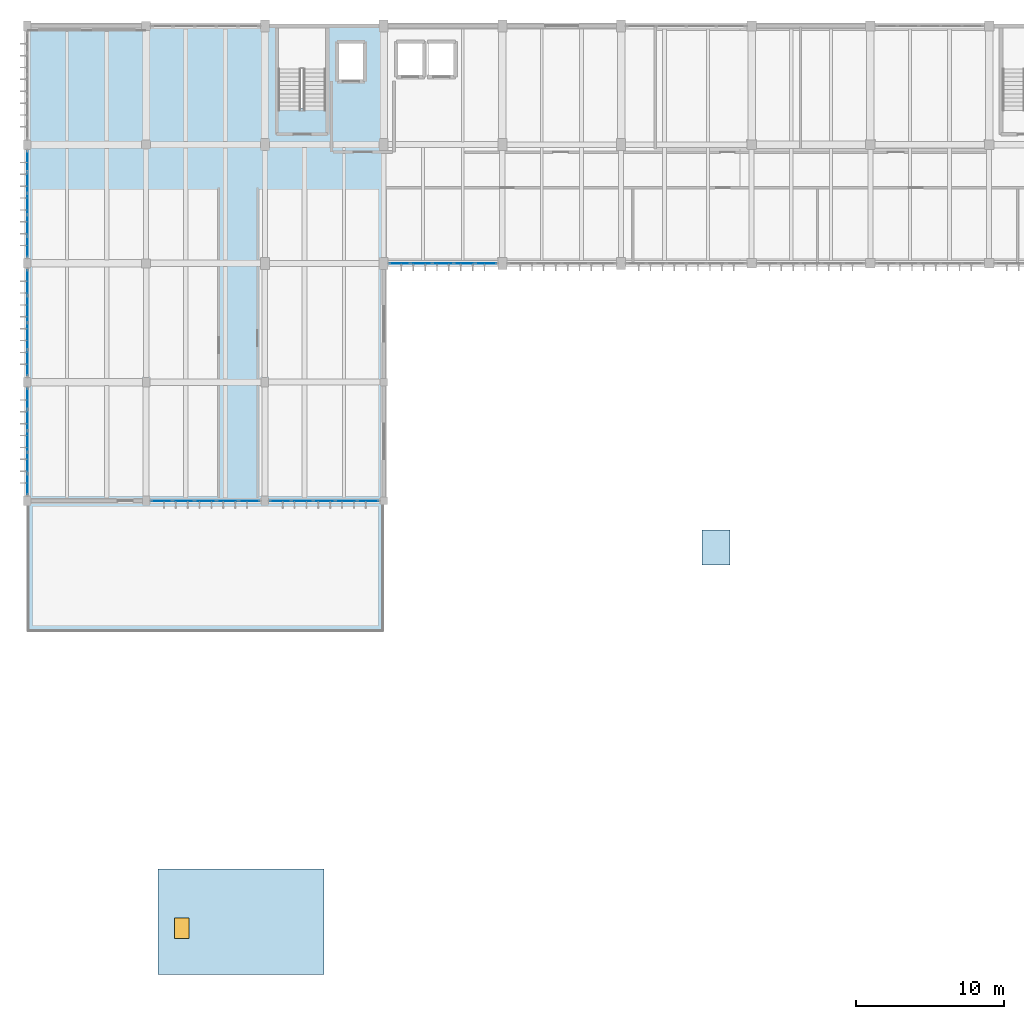
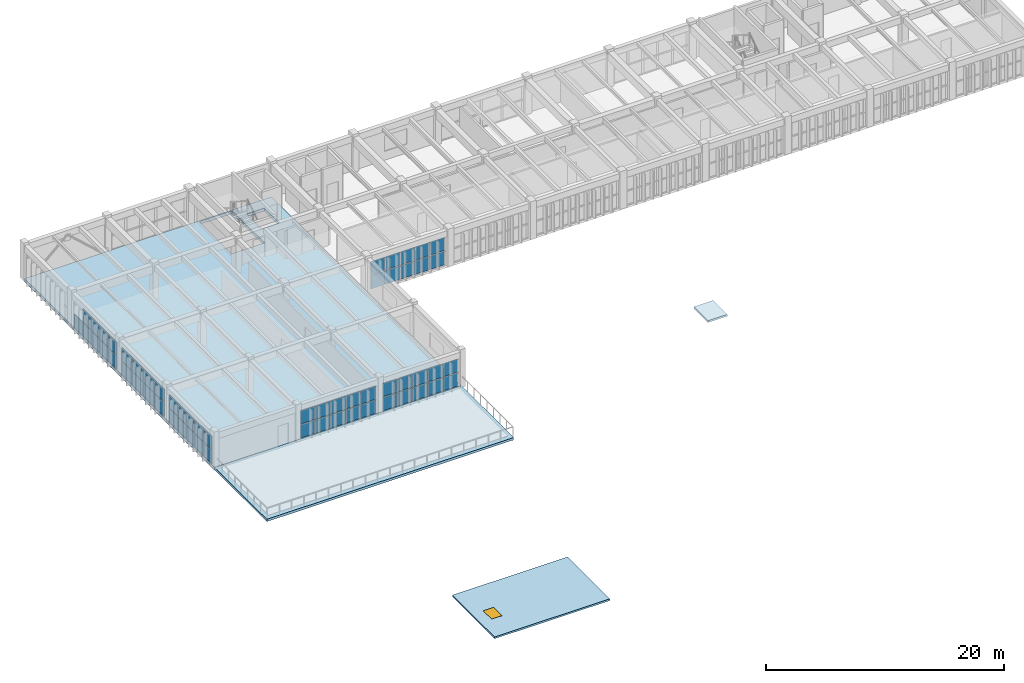
"""IFC4 building model written with IfcOpenShell, lengths in metres."""

from ifc_helpers import new_model, si_unit, direction, frame, origin, origin_2d, place, context, subcontext, project, spatial, polyline, rectangle, outline, extrude, material, layer, layer_set, type_object, element, fill, aggregate, save


model = new_model("IFC4")

# Units and contexts
model_context = context("Model", 3, precision=1e-05, world=origin(), true_north=direction((0.0, 1.0)))
body_context = subcontext(model_context, "Body", "Model", "MODEL_VIEW")
ifc_project = project(units=[si_unit("LENGTHUNIT", "METRE"), si_unit("AREAUNIT", "SQUARE_METRE"), si_unit("VOLUMEUNIT", "CUBIC_METRE"), si_unit("PLANEANGLEUNIT", "RADIAN"), si_unit("MASSUNIT", "GRAM", prefix="KILO")], contexts=[model_context])

# Site, building, storey
site_placement = place(None, origin())
site = spatial("IfcSite", under=ifc_project, at=site_placement, CompositionType="ELEMENT")
building_placement = place(site_placement, origin())
building = spatial("IfcBuilding", under=site, at=building_placement, Name="Tlaxcora Railside Police Headquarters", CompositionType="ELEMENT")
storey_1_placement = place(building_placement, frame((0.0, 0.0, 18.0)))
storey_1 = spatial("IfcBuildingStorey", under=building, at=storey_1_placement, Name="L04", CompositionType="ELEMENT", Elevation=18.0)

# Curtain wall, plates
ifc_material_1 = material(Name="Thermally broken low-E insulated glazing", Category="glass")
curtain_wall_type_1 = type_object("IfcCurtainWallType", Name="Unitised Curtain Wall Assembly CW-23", PredefinedType="NOTDEFINED", material=ifc_material_1)
curtain_wall_1_placement = place(storey_1_placement, origin())
curtain_wall_1 = element("IfcCurtainWall", 1, at=curtain_wall_1_placement, inside=storey_1, type_object=curtain_wall_type_1, Name="V5 L04 curtain wall 88", PredefinedType="NOTDEFINED")
ifc_layer_1 = layer(ifc_material_1, 0.0400390625, Name="Thermally broken low-E insulated glazing")
ifc_layer_set_1 = layer_set([ifc_layer_1], Name="Thermally broken low-E insulated glazing")
plate_type_1 = type_object("IfcPlateType", Name="Curtain Wall Infill Panel CW-17", PredefinedType="CURTAIN_PANEL", material=ifc_layer_set_1)
plate_1_placement = place(storey_1_placement, frame((14.260009765625, 60.800048828125, 0.080078125), z_axis=(0.0, 0.0, 1.0), x_axis=(1.0, 0.0, 0.0)))
plate_1 = element("IfcPlate", 2, at=plate_1_placement, type_object=plate_type_1, Name="CW panel 1.1", PredefinedType="CURTAIN_PANEL", context=body_context, shape_type="SweptSolid", body=[
    extrude(rectangle(XDim=1.360107421875, YDim=0.0400390625, at=origin_2d()), origin(), (0.0, 0.0, 1.0), 1.375),
])
plate_2_placement = place(storey_1_placement, frame((14.260009765625, 60.800048828125, 1.534912109375), z_axis=(0.0, 0.0, 1.0), x_axis=(1.0, 0.0, 0.0)))
plate_2 = element("IfcPlate", 3, at=plate_2_placement, type_object=plate_type_1, Name="CW panel 1.2", PredefinedType="CURTAIN_PANEL", context=body_context, shape_type="SweptSolid", body=[
    extrude(rectangle(XDim=1.360107421875, YDim=0.0400390625, at=origin_2d()), origin(), (0.0, 0.0, 1.0), 1.35498046875),
])
plate_3_placement = place(storey_1_placement, frame((15.719970703125, 60.800048828125, 0.080078125), z_axis=(0.0, 0.0, 1.0), x_axis=(1.0, 0.0, 0.0)))
plate_3 = element("IfcPlate", 4, at=plate_3_placement, type_object=plate_type_1, Name="CW panel 2.1", PredefinedType="CURTAIN_PANEL", context=body_context, shape_type="SweptSolid", body=[
    extrude(rectangle(XDim=1.39990234375, YDim=0.0400390625, at=origin_2d()), origin(), (0.0, 0.0, 1.0), 1.375),
])
plate_4_placement = place(storey_1_placement, frame((15.719970703125, 60.800048828125, 1.534912109375), z_axis=(0.0, 0.0, 1.0), x_axis=(1.0, 0.0, 0.0)))
plate_4 = element("IfcPlate", 5, at=plate_4_placement, type_object=plate_type_1, Name="CW panel 2.2", PredefinedType="CURTAIN_PANEL", context=body_context, shape_type="SweptSolid", body=[
    extrude(rectangle(XDim=1.39990234375, YDim=0.0400390625, at=origin_2d()), origin(), (0.0, 0.0, 1.0), 1.35498046875),
])
plate_5_placement = place(storey_1_placement, frame((17.199951171875, 60.800048828125, 0.080078125), z_axis=(0.0, 0.0, 1.0), x_axis=(1.0, 0.0, 0.0)))
plate_5 = element("IfcPlate", 6, at=plate_5_placement, type_object=plate_type_1, Name="CW panel 3.1", PredefinedType="CURTAIN_PANEL", context=body_context, shape_type="SweptSolid", body=[
    extrude(rectangle(XDim=1.39990234375, YDim=0.0400390625, at=origin_2d()), origin(), (0.0, 0.0, 1.0), 1.375),
])
plate_6_placement = place(storey_1_placement, frame((17.199951171875, 60.800048828125, 1.534912109375), z_axis=(0.0, 0.0, 1.0), x_axis=(1.0, 0.0, 0.0)))
plate_6 = element("IfcPlate", 7, at=plate_6_placement, type_object=plate_type_1, Name="CW panel 3.2", PredefinedType="CURTAIN_PANEL", context=body_context, shape_type="SweptSolid", body=[
    extrude(rectangle(XDim=1.39990234375, YDim=0.0400390625, at=origin_2d()), origin(), (0.0, 0.0, 1.0), 1.35498046875),
])
plate_7_placement = place(storey_1_placement, frame((18.679931640625, 60.800048828125, 0.080078125), z_axis=(0.0, 0.0, 1.0), x_axis=(1.0, 0.0, 0.0)))
plate_7 = element("IfcPlate", 8, at=plate_7_placement, type_object=plate_type_1, Name="CW panel 4.1", PredefinedType="CURTAIN_PANEL", context=body_context, shape_type="SweptSolid", body=[
    extrude(rectangle(XDim=1.39990234375, YDim=0.0400390625, at=origin_2d()), origin(), (0.0, 0.0, 1.0), 1.375),
])
plate_8_placement = place(storey_1_placement, frame((18.679931640625, 60.800048828125, 1.534912109375), z_axis=(0.0, 0.0, 1.0), x_axis=(1.0, 0.0, 0.0)))
plate_8 = element("IfcPlate", 9, at=plate_8_placement, type_object=plate_type_1, Name="CW panel 4.2", PredefinedType="CURTAIN_PANEL", context=body_context, shape_type="SweptSolid", body=[
    extrude(rectangle(XDim=1.39990234375, YDim=0.0400390625, at=origin_2d()), origin(), (0.0, 0.0, 1.0), 1.35498046875),
])
plate_9_placement = place(storey_1_placement, frame((20.139892578125, 60.800048828125, 0.080078125), z_axis=(0.0, 0.0, 1.0), x_axis=(1.0, 0.0, 0.0)))
plate_9 = element("IfcPlate", 10, at=plate_9_placement, type_object=plate_type_1, Name="CW panel 5.1", PredefinedType="CURTAIN_PANEL", context=body_context, shape_type="SweptSolid", body=[
    extrude(rectangle(XDim=1.360107421875, YDim=0.0400390625, at=origin_2d()), origin(), (0.0, 0.0, 1.0), 1.375),
])
plate_10_placement = place(storey_1_placement, frame((20.139892578125, 60.800048828125, 1.534912109375), z_axis=(0.0, 0.0, 1.0), x_axis=(1.0, 0.0, 0.0)))
plate_10 = element("IfcPlate", 11, at=plate_10_placement, type_object=plate_type_1, Name="CW panel 5.2", PredefinedType="CURTAIN_PANEL", context=body_context, shape_type="SweptSolid", body=[
    extrude(rectangle(XDim=1.360107421875, YDim=0.0400390625, at=origin_2d()), origin(), (0.0, 0.0, 1.0), 1.35498046875),
])
aggregate(curtain_wall_1, [plate_1, plate_2, plate_3, plate_4, plate_5, plate_6, plate_7, plate_8, plate_9, plate_10])

curtain_wall_2_placement = place(storey_1_placement, origin())
curtain_wall_2 = element("IfcCurtainWall", 12, at=curtain_wall_2_placement, inside=storey_1, type_object=curtain_wall_type_1, Name="V5 L04 curtain wall 104", PredefinedType="NOTDEFINED")
plate_11_placement = place(storey_1_placement, frame((5.199951171875, 67.679931640625, 0.080078125), z_axis=(0.0, 0.0, 1.0), x_axis=(0.0, -1.0, 0.0)))
plate_11 = element("IfcPlate", 13, at=plate_11_placement, type_object=plate_type_1, Name="CW panel 1.1", PredefinedType="CURTAIN_PANEL", context=body_context, shape_type="SweptSolid", body=[
    extrude(rectangle(XDim=1.330078125, YDim=0.0400390625, at=origin_2d()), origin(), (0.0, 0.0, 1.0), 1.375),
])
plate_12_placement = place(storey_1_placement, frame((5.199951171875, 67.679931640625, 1.534912109375), z_axis=(0.0, 0.0, 1.0), x_axis=(0.0, -1.0, 0.0)))
plate_12 = element("IfcPlate", 14, at=plate_12_placement, type_object=plate_type_1, Name="CW panel 1.2", PredefinedType="CURTAIN_PANEL", context=body_context, shape_type="SweptSolid", body=[
    extrude(rectangle(XDim=1.330078125, YDim=0.0400390625, at=origin_2d()), origin(), (0.0, 0.0, 1.0), 1.35498046875),
])
plate_13_placement = place(storey_1_placement, frame((5.199951171875, 66.25, 0.080078125), z_axis=(0.0, 0.0, 1.0), x_axis=(0.0, -1.0, 0.0)))
plate_13 = element("IfcPlate", 15, at=plate_13_placement, type_object=plate_type_1, Name="CW panel 2.1", PredefinedType="CURTAIN_PANEL", context=body_context, shape_type="SweptSolid", body=[
    extrude(rectangle(XDim=1.3701171875, YDim=0.0400390625, at=origin_2d()), origin(), (0.0, 0.0, 1.0), 1.375),
])
plate_14_placement = place(storey_1_placement, frame((5.199951171875, 66.25, 1.534912109375), z_axis=(0.0, 0.0, 1.0), x_axis=(0.0, -1.0, 0.0)))
plate_14 = element("IfcPlate", 16, at=plate_14_placement, type_object=plate_type_1, Name="CW panel 2.2", PredefinedType="CURTAIN_PANEL", context=body_context, shape_type="SweptSolid", body=[
    extrude(rectangle(XDim=1.3701171875, YDim=0.0400390625, at=origin_2d()), origin(), (0.0, 0.0, 1.0), 1.35498046875),
])
plate_15_placement = place(storey_1_placement, frame((5.199951171875, 64.800048828125, 0.080078125), z_axis=(0.0, 0.0, 1.0), x_axis=(0.0, -1.0, 0.0)))
plate_15 = element("IfcPlate", 17, at=plate_15_placement, type_object=plate_type_1, Name="CW panel 3.1", PredefinedType="CURTAIN_PANEL", context=body_context, shape_type="SweptSolid", body=[
    extrude(rectangle(XDim=1.3701171875, YDim=0.0400390625, at=origin_2d()), origin(), (0.0, 0.0, 1.0), 1.375),
])
plate_16_placement = place(storey_1_placement, frame((5.199951171875, 64.800048828125, 1.534912109375), z_axis=(0.0, 0.0, 1.0), x_axis=(0.0, -1.0, 0.0)))
plate_16 = element("IfcPlate", 18, at=plate_16_placement, type_object=plate_type_1, Name="CW panel 3.2", PredefinedType="CURTAIN_PANEL", context=body_context, shape_type="SweptSolid", body=[
    extrude(rectangle(XDim=1.3701171875, YDim=0.0400390625, at=origin_2d()), origin(), (0.0, 0.0, 1.0), 1.35498046875),
])
plate_17_placement = place(storey_1_placement, frame((5.199951171875, 63.35009765625, 0.080078125), z_axis=(0.0, 0.0, 1.0), x_axis=(0.0, -1.0, 0.0)))
plate_17 = element("IfcPlate", 19, at=plate_17_placement, type_object=plate_type_1, Name="CW panel 4.1", PredefinedType="CURTAIN_PANEL", context=body_context, shape_type="SweptSolid", body=[
    extrude(rectangle(XDim=1.3701171875, YDim=0.0400390625, at=origin_2d()), origin(), (0.0, 0.0, 1.0), 1.375),
])
plate_18_placement = place(storey_1_placement, frame((5.199951171875, 63.35009765625, 1.534912109375), z_axis=(0.0, 0.0, 1.0), x_axis=(0.0, -1.0, 0.0)))
plate_18 = element("IfcPlate", 20, at=plate_18_placement, type_object=plate_type_1, Name="CW panel 4.2", PredefinedType="CURTAIN_PANEL", context=body_context, shape_type="SweptSolid", body=[
    extrude(rectangle(XDim=1.3701171875, YDim=0.0400390625, at=origin_2d()), origin(), (0.0, 0.0, 1.0), 1.35498046875),
])
plate_19_placement = place(storey_1_placement, frame((5.199951171875, 61.919921875, 0.080078125), z_axis=(0.0, 0.0, 1.0), x_axis=(0.0, -1.0, 0.0)))
plate_19 = element("IfcPlate", 21, at=plate_19_placement, type_object=plate_type_1, Name="CW panel 5.1", PredefinedType="CURTAIN_PANEL", context=body_context, shape_type="SweptSolid", body=[
    extrude(rectangle(XDim=1.330078125, YDim=0.0400390625, at=origin_2d()), origin(), (0.0, 0.0, 1.0), 1.375),
])
plate_20_placement = place(storey_1_placement, frame((5.199951171875, 61.919921875, 1.534912109375), z_axis=(0.0, 0.0, 1.0), x_axis=(0.0, -1.0, 0.0)))
plate_20 = element("IfcPlate", 22, at=plate_20_placement, type_object=plate_type_1, Name="CW panel 5.2", PredefinedType="CURTAIN_PANEL", context=body_context, shape_type="SweptSolid", body=[
    extrude(rectangle(XDim=1.330078125, YDim=0.0400390625, at=origin_2d()), origin(), (0.0, 0.0, 1.0), 1.35498046875),
])
aggregate(curtain_wall_2, [plate_11, plate_12, plate_13, plate_14, plate_15, plate_16, plate_17, plate_18, plate_19, plate_20])

curtain_wall_type_2 = type_object("IfcCurtainWallType", Name="Unitised Curtain Wall Assembly CW-15", PredefinedType="NOTDEFINED", material=ifc_material_1)
curtain_wall_3_placement = place(storey_1_placement, origin())
curtain_wall_3 = element("IfcCurtainWall", 23, at=curtain_wall_3_placement, inside=storey_1, type_object=curtain_wall_type_2, Name="V5 L04 curtain wall 90", PredefinedType="NOTDEFINED")
ifc_layer_2 = layer(ifc_material_1, 0.031982421875, Name="Thermally broken low-E insulated glazing")
ifc_layer_set_2 = layer_set([ifc_layer_2], Name="Thermally broken low-E insulated glazing")
plate_type_2 = type_object("IfcPlateType", Name="Curtain Wall Infill Panel CW-41", PredefinedType="CURTAIN_PANEL", material=ifc_layer_set_2)
plate_21_placement = place(storey_1_placement, frame((30.298828125, 76.800048828125, 0.0751953125), z_axis=(0.0, 0.0, 1.0), x_axis=(1.0, 0.0, 0.0)))
plate_21 = element("IfcPlate", 24, at=plate_21_placement, type_object=plate_type_2, Name="CW panel 1.1", PredefinedType="CURTAIN_PANEL", context=body_context, shape_type="SweptSolid", body=[
    extrude(rectangle(XDim=1.347412109375, YDim=0.031982421875, at=origin_2d()), origin(), (0.0, 0.0, 1.0), 1.382568359375),
])
plate_22_placement = place(storey_1_placement, frame((30.298828125, 76.800048828125, 1.53271484375), z_axis=(0.0, 0.0, 1.0), x_axis=(1.0, 0.0, 0.0)))
plate_22 = element("IfcPlate", 25, at=plate_22_placement, type_object=plate_type_2, Name="CW panel 1.2", PredefinedType="CURTAIN_PANEL", context=body_context, shape_type="SweptSolid", body=[
    extrude(rectangle(XDim=1.347412109375, YDim=0.031982421875, at=origin_2d()), origin(), (0.0, 0.0, 1.0), 1.362548828125),
])
plate_23_placement = place(storey_1_placement, frame((31.739990234375, 76.800048828125, 0.0751953125), z_axis=(0.0, 0.0, 1.0), x_axis=(1.0, 0.0, 0.0)))
plate_23 = element("IfcPlate", 26, at=plate_23_placement, type_object=plate_type_2, Name="CW panel 2.1", PredefinedType="CURTAIN_PANEL", context=body_context, shape_type="SweptSolid", body=[
    extrude(rectangle(XDim=1.385009765625, YDim=0.031982421875, at=origin_2d()), origin(), (0.0, 0.0, 1.0), 1.382568359375),
])
plate_24_placement = place(storey_1_placement, frame((31.739990234375, 76.800048828125, 1.53271484375), z_axis=(0.0, 0.0, 1.0), x_axis=(1.0, 0.0, 0.0)))
plate_24 = element("IfcPlate", 27, at=plate_24_placement, type_object=plate_type_2, Name="CW panel 2.2", PredefinedType="CURTAIN_PANEL", context=body_context, shape_type="SweptSolid", body=[
    extrude(rectangle(XDim=1.385009765625, YDim=0.031982421875, at=origin_2d()), origin(), (0.0, 0.0, 1.0), 1.362548828125),
])
plate_25_placement = place(storey_1_placement, frame((33.199951171875, 76.800048828125, 0.0751953125), z_axis=(0.0, 0.0, 1.0), x_axis=(1.0, 0.0, 0.0)))
plate_25 = element("IfcPlate", 28, at=plate_25_placement, type_object=plate_type_2, Name="CW panel 3.1", PredefinedType="CURTAIN_PANEL", context=body_context, shape_type="SweptSolid", body=[
    extrude(rectangle(XDim=1.385009765625, YDim=0.031982421875, at=origin_2d()), origin(), (0.0, 0.0, 1.0), 1.382568359375),
])
plate_26_placement = place(storey_1_placement, frame((33.199951171875, 76.800048828125, 1.53271484375), z_axis=(0.0, 0.0, 1.0), x_axis=(1.0, 0.0, 0.0)))
plate_26 = element("IfcPlate", 29, at=plate_26_placement, type_object=plate_type_2, Name="CW panel 3.2", PredefinedType="CURTAIN_PANEL", context=body_context, shape_type="SweptSolid", body=[
    extrude(rectangle(XDim=1.385009765625, YDim=0.031982421875, at=origin_2d()), origin(), (0.0, 0.0, 1.0), 1.362548828125),
])
plate_27_placement = place(storey_1_placement, frame((34.659912109375, 76.800048828125, 0.0751953125), z_axis=(0.0, 0.0, 1.0), x_axis=(1.0, 0.0, 0.0)))
plate_27 = element("IfcPlate", 30, at=plate_27_placement, type_object=plate_type_2, Name="CW panel 4.1", PredefinedType="CURTAIN_PANEL", context=body_context, shape_type="SweptSolid", body=[
    extrude(rectangle(XDim=1.385009765625, YDim=0.031982421875, at=origin_2d()), origin(), (0.0, 0.0, 1.0), 1.382568359375),
])
plate_28_placement = place(storey_1_placement, frame((34.659912109375, 76.800048828125, 1.53271484375), z_axis=(0.0, 0.0, 1.0), x_axis=(1.0, 0.0, 0.0)))
plate_28 = element("IfcPlate", 31, at=plate_28_placement, type_object=plate_type_2, Name="CW panel 4.2", PredefinedType="CURTAIN_PANEL", context=body_context, shape_type="SweptSolid", body=[
    extrude(rectangle(XDim=1.385009765625, YDim=0.031982421875, at=origin_2d()), origin(), (0.0, 0.0, 1.0), 1.362548828125),
])
plate_29_placement = place(storey_1_placement, frame((36.101318359375, 76.800048828125, 0.0751953125), z_axis=(0.0, 0.0, 1.0), x_axis=(1.0, 0.0, 0.0)))
plate_29 = element("IfcPlate", 32, at=plate_29_placement, type_object=plate_type_2, Name="CW panel 5.1", PredefinedType="CURTAIN_PANEL", context=body_context, shape_type="SweptSolid", body=[
    extrude(rectangle(XDim=1.347412109375, YDim=0.031982421875, at=origin_2d()), origin(), (0.0, 0.0, 1.0), 1.382568359375),
])
plate_30_placement = place(storey_1_placement, frame((36.101318359375, 76.800048828125, 1.53271484375), z_axis=(0.0, 0.0, 1.0), x_axis=(1.0, 0.0, 0.0)))
plate_30 = element("IfcPlate", 33, at=plate_30_placement, type_object=plate_type_2, Name="CW panel 5.2", PredefinedType="CURTAIN_PANEL", context=body_context, shape_type="SweptSolid", body=[
    extrude(rectangle(XDim=1.347412109375, YDim=0.031982421875, at=origin_2d()), origin(), (0.0, 0.0, 1.0), 1.362548828125),
])
aggregate(curtain_wall_3, [plate_21, plate_22, plate_23, plate_24, plate_25, plate_26, plate_27, plate_28, plate_29, plate_30])

curtain_wall_4_placement = place(storey_1_placement, origin())
curtain_wall_4 = element("IfcCurtainWall", 34, at=curtain_wall_4_placement, inside=storey_1, type_object=curtain_wall_type_2, Name="V5 L04 curtain wall 102", PredefinedType="NOTDEFINED")
plate_31_placement = place(storey_1_placement, frame((5.199951171875, 83.68115234375, 0.0751953125), z_axis=(0.0, 0.0, 1.0), x_axis=(0.0, -1.0, 0.0)))
plate_31 = element("IfcPlate", 35, at=plate_31_placement, type_object=plate_type_2, Name="CW panel 1.1", PredefinedType="CURTAIN_PANEL", context=body_context, shape_type="SweptSolid", body=[
    extrude(rectangle(XDim=1.33740234375, YDim=0.031982421875, at=origin_2d()), origin(), (0.0, 0.0, 1.0), 1.382568359375),
])
plate_32_placement = place(storey_1_placement, frame((5.199951171875, 82.25, 0.0751953125), z_axis=(0.0, 0.0, 1.0), x_axis=(0.0, -1.0, 0.0)))
plate_32 = element("IfcPlate", 36, at=plate_32_placement, type_object=plate_type_2, Name="CW panel 2.1", PredefinedType="CURTAIN_PANEL", context=body_context, shape_type="SweptSolid", body=[
    extrude(rectangle(XDim=1.375, YDim=0.031982421875, at=origin_2d()), origin(), (0.0, 0.0, 1.0), 1.382568359375),
])
plate_33_placement = place(storey_1_placement, frame((5.199951171875, 82.25, 1.53271484375), z_axis=(0.0, 0.0, 1.0), x_axis=(0.0, -1.0, 0.0)))
plate_33 = element("IfcPlate", 37, at=plate_33_placement, type_object=plate_type_2, Name="CW panel 2.2", PredefinedType="CURTAIN_PANEL", context=body_context, shape_type="SweptSolid", body=[
    extrude(rectangle(XDim=1.375, YDim=0.031982421875, at=origin_2d()), origin(), (0.0, 0.0, 1.0), 1.362548828125),
])
plate_34_placement = place(storey_1_placement, frame((5.199951171875, 80.800048828125, 0.0751953125), z_axis=(0.0, 0.0, 1.0), x_axis=(0.0, -1.0, 0.0)))
plate_34 = element("IfcPlate", 38, at=plate_34_placement, type_object=plate_type_2, Name="CW panel 3.1", PredefinedType="CURTAIN_PANEL", context=body_context, shape_type="SweptSolid", body=[
    extrude(rectangle(XDim=1.375, YDim=0.031982421875, at=origin_2d()), origin(), (0.0, 0.0, 1.0), 1.382568359375),
])
plate_35_placement = place(storey_1_placement, frame((5.199951171875, 80.800048828125, 1.53271484375), z_axis=(0.0, 0.0, 1.0), x_axis=(0.0, -1.0, 0.0)))
plate_35 = element("IfcPlate", 39, at=plate_35_placement, type_object=plate_type_2, Name="CW panel 3.2", PredefinedType="CURTAIN_PANEL", context=body_context, shape_type="SweptSolid", body=[
    extrude(rectangle(XDim=1.375, YDim=0.031982421875, at=origin_2d()), origin(), (0.0, 0.0, 1.0), 1.362548828125),
])
plate_36_placement = place(storey_1_placement, frame((5.199951171875, 79.35009765625, 0.0751953125), z_axis=(0.0, 0.0, 1.0), x_axis=(0.0, -1.0, 0.0)))
plate_36 = element("IfcPlate", 40, at=plate_36_placement, type_object=plate_type_2, Name="CW panel 4.1", PredefinedType="CURTAIN_PANEL", context=body_context, shape_type="SweptSolid", body=[
    extrude(rectangle(XDim=1.375, YDim=0.031982421875, at=origin_2d()), origin(), (0.0, 0.0, 1.0), 1.382568359375),
])
plate_37_placement = place(storey_1_placement, frame((5.199951171875, 79.35009765625, 1.53271484375), z_axis=(0.0, 0.0, 1.0), x_axis=(0.0, -1.0, 0.0)))
plate_37 = element("IfcPlate", 41, at=plate_37_placement, type_object=plate_type_2, Name="CW panel 4.2", PredefinedType="CURTAIN_PANEL", context=body_context, shape_type="SweptSolid", body=[
    extrude(rectangle(XDim=1.375, YDim=0.031982421875, at=origin_2d()), origin(), (0.0, 0.0, 1.0), 1.362548828125),
])
plate_38_placement = place(storey_1_placement, frame((5.199951171875, 77.918701171875, 0.0751953125), z_axis=(0.0, 0.0, 1.0), x_axis=(0.0, -1.0, 0.0)))
plate_38 = element("IfcPlate", 42, at=plate_38_placement, type_object=plate_type_2, Name="CW panel 5.1", PredefinedType="CURTAIN_PANEL", context=body_context, shape_type="SweptSolid", body=[
    extrude(rectangle(XDim=1.33740234375, YDim=0.031982421875, at=origin_2d()), origin(), (0.0, 0.0, 1.0), 1.382568359375),
])
plate_39_placement = place(storey_1_placement, frame((5.199951171875, 77.918701171875, 1.53271484375), z_axis=(0.0, 0.0, 1.0), x_axis=(0.0, -1.0, 0.0)))
plate_39 = element("IfcPlate", 43, at=plate_39_placement, type_object=plate_type_2, Name="CW panel 5.2", PredefinedType="CURTAIN_PANEL", context=body_context, shape_type="SweptSolid", body=[
    extrude(rectangle(XDim=1.33740234375, YDim=0.031982421875, at=origin_2d()), origin(), (0.0, 0.0, 1.0), 1.362548828125),
])
aggregate(curtain_wall_4, [plate_31, plate_32, plate_33, plate_34, plate_35, plate_36, plate_37, plate_38, plate_39])

curtain_wall_type_3 = type_object("IfcCurtainWallType", Name="Unitised Curtain Wall Assembly CW-83", PredefinedType="NOTDEFINED", material=ifc_material_1)
curtain_wall_5_placement = place(storey_1_placement, origin())
curtain_wall_5 = element("IfcCurtainWall", 44, at=curtain_wall_5_placement, inside=storey_1, type_object=curtain_wall_type_3, Name="V5 L04 curtain wall 103", PredefinedType="NOTDEFINED")
ifc_layer_3 = layer(ifc_material_1, 0.035888671875, Name="Thermally broken low-E insulated glazing")
ifc_layer_set_3 = layer_set([ifc_layer_3], Name="Thermally broken low-E insulated glazing")
plate_type_3 = type_object("IfcPlateType", Name="Curtain Wall Infill Panel CW-72", PredefinedType="CURTAIN_PANEL", material=ifc_layer_set_3)
plate_40_placement = place(storey_1_placement, frame((5.199951171875, 75.498779296875, 0.080078125), z_axis=(0.0, 0.0, 1.0), x_axis=(0.0, -1.0, 0.0)))
plate_40 = element("IfcPlate", 45, at=plate_40_placement, type_object=plate_type_3, Name="CW panel 1.1", PredefinedType="CURTAIN_PANEL", context=body_context, shape_type="SweptSolid", body=[
    extrude(rectangle(XDim=1.6923828125, YDim=0.035888671875, at=origin_2d()), origin(), (0.0, 0.0, 1.0), 1.375),
])
plate_41_placement = place(storey_1_placement, frame((5.199951171875, 75.498779296875, 1.534912109375), z_axis=(0.0, 0.0, 1.0), x_axis=(0.0, -1.0, 0.0)))
plate_41 = element("IfcPlate", 46, at=plate_41_placement, type_object=plate_type_3, Name="CW panel 1.2", PredefinedType="CURTAIN_PANEL", context=body_context, shape_type="SweptSolid", body=[
    extrude(rectangle(XDim=1.6923828125, YDim=0.035888671875, at=origin_2d()), origin(), (0.0, 0.0, 1.0), 1.35498046875),
])
plate_42_placement = place(storey_1_placement, frame((5.199951171875, 73.706298828125, 0.080078125), z_axis=(0.0, 0.0, 1.0), x_axis=(0.0, -1.0, 0.0)))
plate_42 = element("IfcPlate", 47, at=plate_42_placement, type_object=plate_type_3, Name="CW panel 2.1", PredefinedType="CURTAIN_PANEL", context=body_context, shape_type="SweptSolid", body=[
    extrude(rectangle(XDim=1.732421875, YDim=0.035888671875, at=origin_2d()), origin(), (0.0, 0.0, 1.0), 1.375),
])
plate_43_placement = place(storey_1_placement, frame((5.199951171875, 73.706298828125, 1.534912109375), z_axis=(0.0, 0.0, 1.0), x_axis=(0.0, -1.0, 0.0)))
plate_43 = element("IfcPlate", 48, at=plate_43_placement, type_object=plate_type_3, Name="CW panel 2.2", PredefinedType="CURTAIN_PANEL", context=body_context, shape_type="SweptSolid", body=[
    extrude(rectangle(XDim=1.732421875, YDim=0.035888671875, at=origin_2d()), origin(), (0.0, 0.0, 1.0), 1.35498046875),
])
plate_44_placement = place(storey_1_placement, frame((5.199951171875, 71.893798828125, 0.080078125), z_axis=(0.0, 0.0, 1.0), x_axis=(0.0, -1.0, 0.0)))
plate_44 = element("IfcPlate", 49, at=plate_44_placement, type_object=plate_type_3, Name="CW panel 3.1", PredefinedType="CURTAIN_PANEL", context=body_context, shape_type="SweptSolid", body=[
    extrude(rectangle(XDim=1.732421875, YDim=0.035888671875, at=origin_2d()), origin(), (0.0, 0.0, 1.0), 1.375),
])
plate_45_placement = place(storey_1_placement, frame((5.199951171875, 71.893798828125, 1.534912109375), z_axis=(0.0, 0.0, 1.0), x_axis=(0.0, -1.0, 0.0)))
plate_45 = element("IfcPlate", 50, at=plate_45_placement, type_object=plate_type_3, Name="CW panel 3.2", PredefinedType="CURTAIN_PANEL", context=body_context, shape_type="SweptSolid", body=[
    extrude(rectangle(XDim=1.732421875, YDim=0.035888671875, at=origin_2d()), origin(), (0.0, 0.0, 1.0), 1.35498046875),
])
plate_46_placement = place(storey_1_placement, frame((5.199951171875, 70.101318359375, 0.080078125), z_axis=(0.0, 0.0, 1.0), x_axis=(0.0, -1.0, 0.0)))
plate_46 = element("IfcPlate", 51, at=plate_46_placement, type_object=plate_type_3, Name="CW panel 4.1", PredefinedType="CURTAIN_PANEL", context=body_context, shape_type="SweptSolid", body=[
    extrude(rectangle(XDim=1.6923828125, YDim=0.035888671875, at=origin_2d()), origin(), (0.0, 0.0, 1.0), 1.375),
])
plate_47_placement = place(storey_1_placement, frame((5.199951171875, 70.101318359375, 1.534912109375), z_axis=(0.0, 0.0, 1.0), x_axis=(0.0, -1.0, 0.0)))
plate_47 = element("IfcPlate", 52, at=plate_47_placement, type_object=plate_type_3, Name="CW panel 4.2", PredefinedType="CURTAIN_PANEL", context=body_context, shape_type="SweptSolid", body=[
    extrude(rectangle(XDim=1.6923828125, YDim=0.035888671875, at=origin_2d()), origin(), (0.0, 0.0, 1.0), 1.35498046875),
])
aggregate(curtain_wall_5, [plate_40, plate_41, plate_42, plate_43, plate_44, plate_45, plate_46, plate_47])

curtain_wall_type_4 = type_object("IfcCurtainWallType", Name="Unitised Curtain Wall Assembly CW-38", PredefinedType="NOTDEFINED", material=ifc_material_1)
curtain_wall_6_placement = place(storey_1_placement, origin())
curtain_wall_6 = element("IfcCurtainWall", 53, at=curtain_wall_6_placement, inside=storey_1, type_object=curtain_wall_type_4, Name="V5 L04 curtain wall 89", PredefinedType="NOTDEFINED")
ifc_layer_4 = layer(ifc_material_1, 0.028076171875, Name="Thermally broken low-E insulated glazing")
ifc_layer_set_4 = layer_set([ifc_layer_4], Name="Thermally broken low-E insulated glazing")
plate_type_4 = type_object("IfcPlateType", Name="Curtain Wall Infill Panel CW-92", PredefinedType="CURTAIN_PANEL", material=ifc_layer_set_4)
plate_48_placement = place(storey_1_placement, frame((22.2587890625, 60.800048828125, 0.0751953125), z_axis=(0.0, 0.0, 1.0), x_axis=(1.0, 0.0, 0.0)))
plate_48 = element("IfcPlate", 54, at=plate_48_placement, type_object=plate_type_4, Name="CW panel 1.1", PredefinedType="CURTAIN_PANEL", context=body_context, shape_type="SweptSolid", body=[
    extrude(rectangle(XDim=1.367431640625, YDim=0.028076171875, at=origin_2d()), origin(), (0.0, 0.0, 1.0), 1.382568359375),
])
plate_49_placement = place(storey_1_placement, frame((22.2587890625, 60.800048828125, 1.53271484375), z_axis=(0.0, 0.0, 1.0), x_axis=(1.0, 0.0, 0.0)))
plate_49 = element("IfcPlate", 55, at=plate_49_placement, type_object=plate_type_4, Name="CW panel 1.2", PredefinedType="CURTAIN_PANEL", context=body_context, shape_type="SweptSolid", body=[
    extrude(rectangle(XDim=1.367431640625, YDim=0.028076171875, at=origin_2d()), origin(), (0.0, 0.0, 1.0), 1.362548828125),
])
plate_50_placement = place(storey_1_placement, frame((23.719970703125, 60.800048828125, 0.0751953125), z_axis=(0.0, 0.0, 1.0), x_axis=(1.0, 0.0, 0.0)))
plate_50 = element("IfcPlate", 56, at=plate_50_placement, type_object=plate_type_4, Name="CW panel 2.1", PredefinedType="CURTAIN_PANEL", context=body_context, shape_type="SweptSolid", body=[
    extrude(rectangle(XDim=1.405029296875, YDim=0.028076171875, at=origin_2d()), origin(), (0.0, 0.0, 1.0), 1.382568359375),
])
plate_51_placement = place(storey_1_placement, frame((23.719970703125, 60.800048828125, 1.53271484375), z_axis=(0.0, 0.0, 1.0), x_axis=(1.0, 0.0, 0.0)))
plate_51 = element("IfcPlate", 57, at=plate_51_placement, type_object=plate_type_4, Name="CW panel 2.2", PredefinedType="CURTAIN_PANEL", context=body_context, shape_type="SweptSolid", body=[
    extrude(rectangle(XDim=1.405029296875, YDim=0.028076171875, at=origin_2d()), origin(), (0.0, 0.0, 1.0), 1.362548828125),
])
plate_52_placement = place(storey_1_placement, frame((25.199951171875, 60.800048828125, 0.0751953125), z_axis=(0.0, 0.0, 1.0), x_axis=(1.0, 0.0, 0.0)))
plate_52 = element("IfcPlate", 58, at=plate_52_placement, type_object=plate_type_4, Name="CW panel 3.1", PredefinedType="CURTAIN_PANEL", context=body_context, shape_type="SweptSolid", body=[
    extrude(rectangle(XDim=1.405029296875, YDim=0.028076171875, at=origin_2d()), origin(), (0.0, 0.0, 1.0), 1.382568359375),
])
plate_53_placement = place(storey_1_placement, frame((25.199951171875, 60.800048828125, 1.53271484375), z_axis=(0.0, 0.0, 1.0), x_axis=(1.0, 0.0, 0.0)))
plate_53 = element("IfcPlate", 59, at=plate_53_placement, type_object=plate_type_4, Name="CW panel 3.2", PredefinedType="CURTAIN_PANEL", context=body_context, shape_type="SweptSolid", body=[
    extrude(rectangle(XDim=1.405029296875, YDim=0.028076171875, at=origin_2d()), origin(), (0.0, 0.0, 1.0), 1.362548828125),
])
plate_54_placement = place(storey_1_placement, frame((26.679931640625, 60.800048828125, 0.0751953125), z_axis=(0.0, 0.0, 1.0), x_axis=(1.0, 0.0, 0.0)))
plate_54 = element("IfcPlate", 60, at=plate_54_placement, type_object=plate_type_4, Name="CW panel 4.1", PredefinedType="CURTAIN_PANEL", context=body_context, shape_type="SweptSolid", body=[
    extrude(rectangle(XDim=1.405029296875, YDim=0.028076171875, at=origin_2d()), origin(), (0.0, 0.0, 1.0), 1.382568359375),
])
plate_55_placement = place(storey_1_placement, frame((26.679931640625, 60.800048828125, 1.53271484375), z_axis=(0.0, 0.0, 1.0), x_axis=(1.0, 0.0, 0.0)))
plate_55 = element("IfcPlate", 61, at=plate_55_placement, type_object=plate_type_4, Name="CW panel 4.2", PredefinedType="CURTAIN_PANEL", context=body_context, shape_type="SweptSolid", body=[
    extrude(rectangle(XDim=1.405029296875, YDim=0.028076171875, at=origin_2d()), origin(), (0.0, 0.0, 1.0), 1.362548828125),
])
plate_56_placement = place(storey_1_placement, frame((28.141357421875, 60.800048828125, 0.0751953125), z_axis=(0.0, 0.0, 1.0), x_axis=(1.0, 0.0, 0.0)))
plate_56 = element("IfcPlate", 62, at=plate_56_placement, type_object=plate_type_4, Name="CW panel 5.1", PredefinedType="CURTAIN_PANEL", context=body_context, shape_type="SweptSolid", body=[
    extrude(rectangle(XDim=1.367431640625, YDim=0.028076171875, at=origin_2d()), origin(), (0.0, 0.0, 1.0), 1.382568359375),
])
plate_57_placement = place(storey_1_placement, frame((28.141357421875, 60.800048828125, 1.53271484375), z_axis=(0.0, 0.0, 1.0), x_axis=(1.0, 0.0, 0.0)))
plate_57 = element("IfcPlate", 63, at=plate_57_placement, type_object=plate_type_4, Name="CW panel 5.2", PredefinedType="CURTAIN_PANEL", context=body_context, shape_type="SweptSolid", body=[
    extrude(rectangle(XDim=1.367431640625, YDim=0.028076171875, at=origin_2d()), origin(), (0.0, 0.0, 1.0), 1.362548828125),
])
aggregate(curtain_wall_6, [plate_48, plate_49, plate_50, plate_51, plate_52, plate_53, plate_54, plate_55, plate_56, plate_57])

# Slab, opening
ifc_material_2 = material(Name="Concrete C40/50", Category="concrete")
ifc_layer_5 = layer(ifc_material_2, 0.179931640625, Name="Concrete C40/50")
ifc_layer_set_5 = layer_set([ifc_layer_5], Name="Concrete C40/50")
slab_type_1 = type_object("IfcSlabType", Name="Folded or Flat Roof Slab SL-50", PredefinedType="ROOF", material=ifc_layer_set_5)
slab_1_placement = place(storey_1_placement, frame((0.0, 0.0, -1.35009765625)))
slab_1 = element("IfcSlab", 64, at=slab_1_placement, inside=storey_1, type_object=slab_type_1, Name="HH-C6-L03 roof slab", PredefinedType="ROOF", context=body_context, shape_type="SweptSolid", body=[
    extrude(outline(polyline([(14.0, 28.89990234375), (25.199951171875, 28.89990234375), (25.199951171875, 36.0), (14.0, 36.0), (14.0, 28.89990234375)]), holes=[polyline([(15.14990234375, 31.550048828125), (15.14990234375, 32.449951171875), (16.050048828125, 32.449951171875), (16.050048828125, 31.550048828125), (15.14990234375, 31.550048828125)])]), origin(), (0.0, 0.0, 1.0), 0.18017578125),
])
opening_placement = place(slab_1_placement, frame((15.60009765625, 32.0, -0.010009765625)))
opening = element("IfcOpeningElement", 65, at=opening_placement, cuts=slab_1, Name="Opening RH-01", PredefinedType="OPENING", context=body_context, shape_type="SweptSolid", body=[
    extrude(rectangle(XDim=1.0, YDim=1.39990234375, at=origin_2d()), origin(), (0.0, 0.0, 1.0), 0.2001953125),
])

# Storey
storey_2_placement = place(building_placement, frame((0.0, 0.0, 13.5)))
storey_2 = spatial("IfcBuildingStorey", under=building, at=storey_2_placement, Name="L03", CompositionType="ELEMENT", Elevation=13.5)

# Door
ifc_material_3 = material(Name="Steel ASTM A992 Grade 50", Category="steel")
door_type = type_object("IfcDoorType", Name="Roof Access Hatch Door ED-83", OperationType="NOTDEFINED", PredefinedType="TRAPDOOR", material=ifc_material_3)
door_placement = place(opening_placement, frame((0.0, 0.0, 0.14013671875)))
door = element("IfcDoor", 66, at=door_placement, inside=storey_2, type_object=door_type, Name="Roof access hatch RH-01", OperationType="SINGLE_SWING_LEFT", OverallHeight=1.39990234375, OverallWidth=1.0, PredefinedType="TRAPDOOR", context=body_context, shape_type="SweptSolid", body=[
    extrude(rectangle(XDim=1.0, YDim=1.39990234375, at=origin_2d()), origin(), (0.0, 0.0, 1.0), 0.050048828125),
])

fill(opening, door)

# Slabs
slab_2_placement = place(storey_1_placement, frame((0.0, 0.0, 1.60009765625)))
element("IfcSlab", 67, at=slab_2_placement, inside=storey_1, type_object=slab_type_1, Name="Lift PL-04 shaft overrun cap slab", PredefinedType="ROOF", context=body_context, shape_type="SweptSolid", body=[
    extrude(outline(polyline([(50.659912109375, 56.4599609375), (52.5400390625, 56.4599609375), (52.5400390625, 58.840087890625), (50.659912109375, 58.840087890625), (50.659912109375, 56.4599609375)])), origin(), (0.0, 0.0, 1.0), 0.179931640625),
])
ifc_layer_6 = layer(ifc_material_2, 0.31005859375, Name="Concrete C40/50")
ifc_layer_set_6 = layer_set([ifc_layer_6], Name="Concrete C40/50")
slab_type_2 = type_object("IfcSlabType", Name="Suspended Floor Slab SL-37", PredefinedType="FLOOR", material=ifc_layer_set_6)
slab_3_placement = place(storey_1_placement, frame((0.0, 0.0, -0.31005859375)))
element("IfcSlab", 68, at=slab_3_placement, inside=storey_1, type_object=slab_type_2, Name="V5 L04 floor slab zone 1", PredefinedType="FLOOR", context=body_context, shape_type="SweptSolid", body=[
    extrude(outline(polyline([(5.199951171875, 92.800048828125), (5.199951171875, 60.800048828125), (29.199951171875, 60.800048828125), (29.199951171875, 76.800048828125), (29.199951171875, 92.800048828125), (5.199951171875, 92.800048828125)]), holes=[polyline([(22.110107421875, 92.68994140625), (25.31005859375, 92.68994140625), (25.31005859375, 87.25), (22.110107421875, 87.25), (22.110107421875, 92.68994140625)]), polyline([(27.85009765625, 91.64990234375), (27.85009765625, 89.14990234375), (26.14990234375, 89.14990234375), (26.14990234375, 91.64990234375), (27.85009765625, 91.64990234375)])]), origin(), (0.0, 0.0, 1.0), 0.31005859375),
])
ifc_layer_7 = layer(ifc_material_2, 0.2451171875, Name="Concrete C40/50")
ifc_layer_set_7 = layer_set([ifc_layer_7], Name="Concrete C40/50")
slab_type_3 = type_object("IfcSlabType", Name="Suspended Floor Slab SL-67", PredefinedType="FLOOR", material=ifc_layer_set_7)
slab_4_placement = place(storey_1_placement, frame((0.0, 0.0, -0.2451171875)))
element("IfcSlab", 69, at=slab_4_placement, inside=storey_1, type_object=slab_type_3, Name="V5 L04 planted terrace slab", PredefinedType="FLOOR", context=body_context, shape_type="SweptSolid", body=[
    extrude(outline(polyline([(29.199951171875, 52.0), (29.199951171875, 60.800048828125), (5.199951171875, 60.800048828125), (5.199951171875, 52.0), (29.199951171875, 52.0)])), origin(), (0.0, 0.0, 1.0), 0.2451171875),
])

save(model, "model.ifc")
